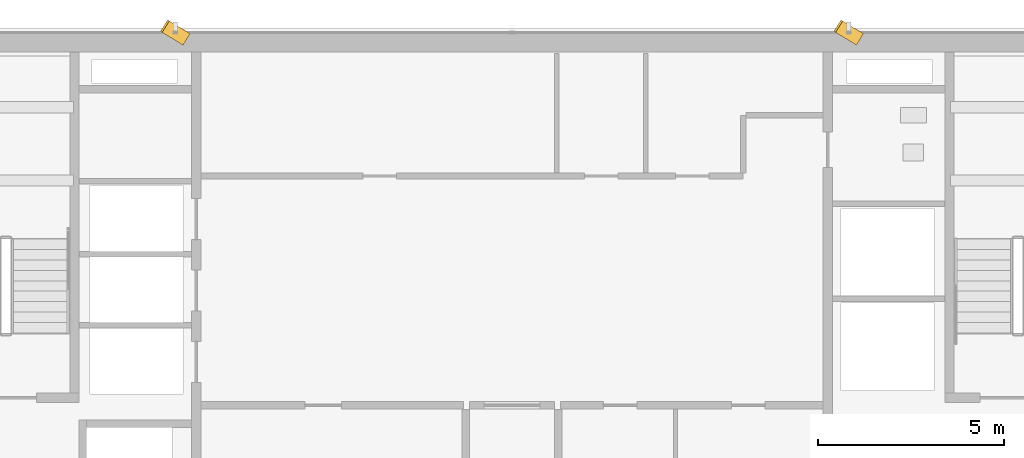
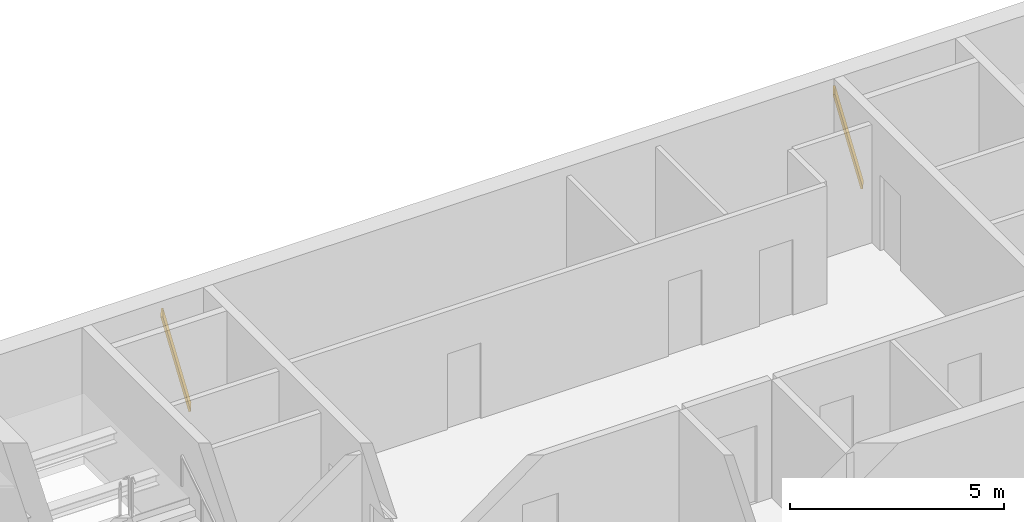
# One storey, part 25 of 26: 2 shading devices.
"""IFC4 building model written with IfcOpenShell, lengths in metres."""

from ifc_helpers import new_model, si_unit, direction, frame, origin, origin_2d, place, context, subcontext, project, spatial, rectangle, extrude, source, transform, mapped, material, material_profile, profile_set, type_object, element, save


model = new_model("IFC4")

# Units and contexts
model_context = context("Model", 3, precision=1e-05, world=origin(), true_north=direction((0.0, 1.0)))
body_context = subcontext(model_context, "Body", "Model", "MODEL_VIEW")
ifc_project = project(units=[si_unit("LENGTHUNIT", "METRE"), si_unit("AREAUNIT", "SQUARE_METRE"), si_unit("VOLUMEUNIT", "CUBIC_METRE"), si_unit("PLANEANGLEUNIT", "RADIAN"), si_unit("MASSUNIT", "GRAM", prefix="KILO")], contexts=[model_context])

# Site, building, storey
site_placement = place(None, origin())
site = spatial("IfcSite", under=ifc_project, at=site_placement, CompositionType="ELEMENT")
building_placement = place(site_placement, origin())
building = spatial("IfcBuilding", under=site, at=building_placement, Name="Sumidabori Civic Tower", CompositionType="ELEMENT")
storey_placement = place(building_placement, frame((0.0, 0.0, 243.199951171875)))
storey = spatial("IfcBuildingStorey", under=building, at=storey_placement, Name="L63", CompositionType="ELEMENT", Elevation=243.199951171875)

# Shading devices
ifc_material = material(Name="Anodised Bronze Aluminium AW-6063-T6", Category="aluminium")
ifc_material_profile = material_profile(ifc_material, rectangle(XDim=0.054931640625, YDim=0.360107421875, at=origin_2d()), Name="BRONZE FIN 360x55")
ifc_profile_set = profile_set([ifc_material_profile], Name="Anodised Bronze Aluminium AW-6063-T6")
shading_device_type = type_object("IfcShadingDeviceType", Name="SH-FIN-360", PredefinedType="USERDEFINED", material=ifc_profile_set)
shared_shape = source(origin(), body_context, "Body", "SweptSolid", [
    extrude(rectangle(XDim=0.054931640625, YDim=0.360107421875, at=origin_2d()), origin(), (0.0, 0.0, 1.0), 2.7685546875),
])
for number, where, z_axis, x_axis, name in (
    (1, (9.340087890625, 23.909912109375, 0.02001953125), (-0.202289930374, 0.122837782481, 0.971591304646), (0.830469701518, -0.504291322674, 0.236665030656), "Bronze Anodised Diagonal Fin L63-01"),
    (2, (-8.780029296875, 23.909912109375, 0.02001953125), (-0.202289930374, 0.122837782481, 0.971591304646), (0.830469701518, -0.504291322674, 0.236665030656), "Bronze Anodised Diagonal Fin L63-03"),
):
    element("IfcShadingDevice", number, at=place(storey_placement, frame(where, z_axis=z_axis, x_axis=x_axis)), inside=storey, type_object=shading_device_type, Name=name, ObjectType="FIN", PredefinedType="USERDEFINED", context=body_context, shape_type="MappedRepresentation", body=[
        mapped(shared_shape, transform((0.0, 0.0, 0.0), x_axis=(1.0, 0.0, 0.0), y_axis=(0.0, 1.0, 0.0), z_axis=(0.0, 0.0, 1.0), scale=1.0)),
    ])

save(model, "model.ifc")
